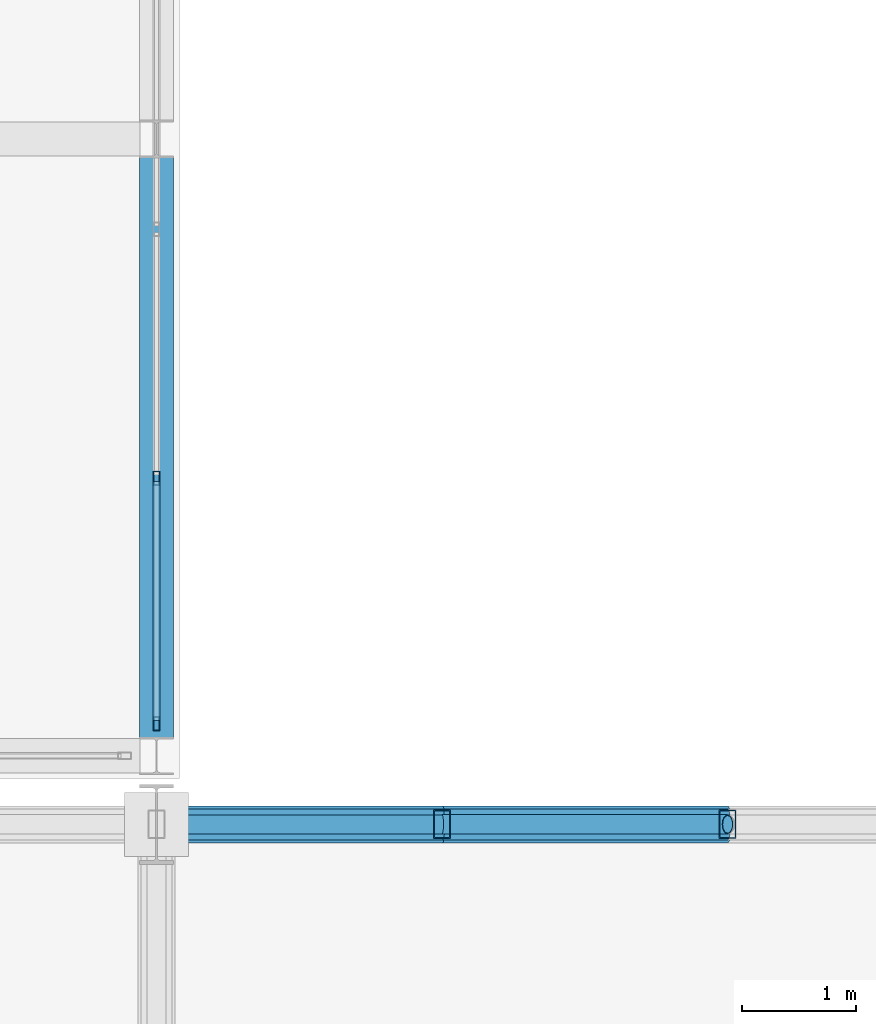
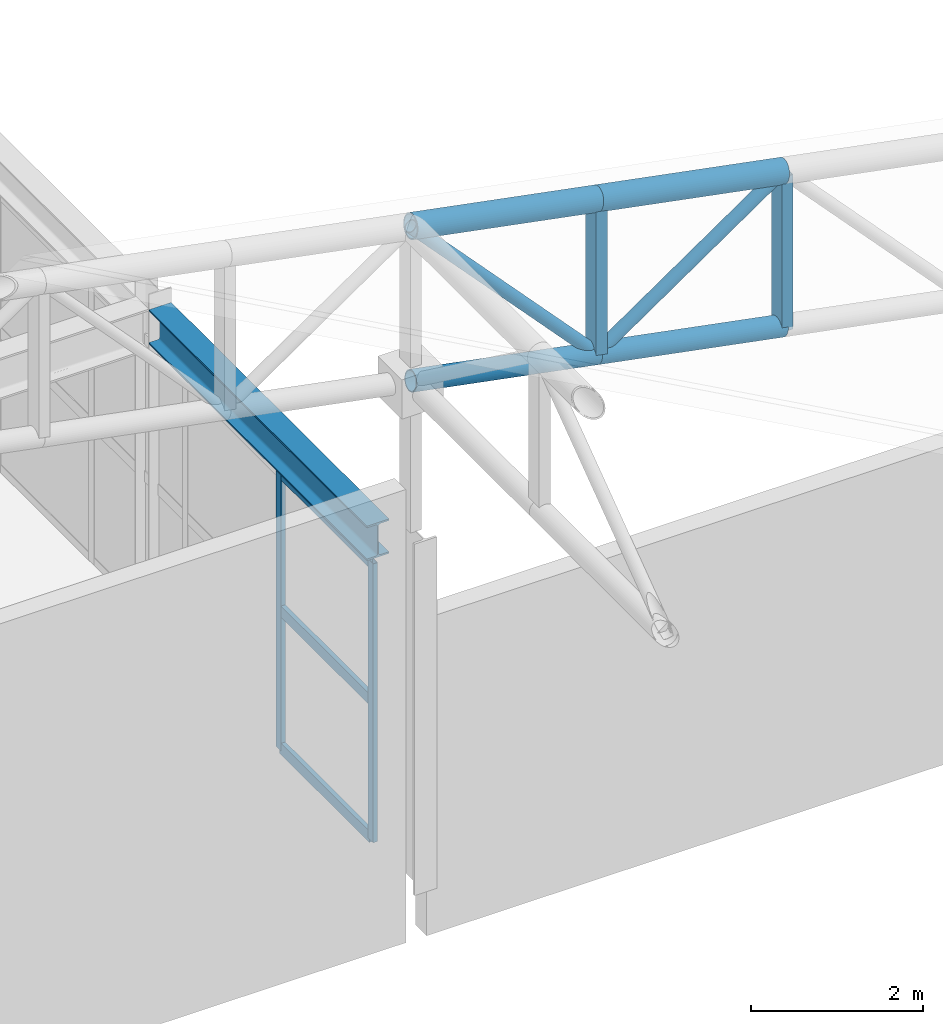
# One storey, part 77 of 112: 13 members, 1 beam, 1 element without a shape of its own.
"""IFC4 building model written with IfcOpenShell, lengths in metres."""

from ifc_helpers import new_model, si_unit, direction, frame, origin, origin_2d, place, context, subcontext, project, spatial, hollow_rectangle, hollow_circle, i_section, extrude, material, material_profile, profile_set, type_object, element, aggregate, save


model = new_model("IFC4")

# Units and contexts
model_context = context("Model", 3, precision=1e-05, world=origin(), true_north=direction((0.0, 1.0)))
body_context = subcontext(model_context, "Body", "Model", "MODEL_VIEW")
ifc_project = project(units=[si_unit("LENGTHUNIT", "METRE"), si_unit("AREAUNIT", "SQUARE_METRE"), si_unit("VOLUMEUNIT", "CUBIC_METRE"), si_unit("PLANEANGLEUNIT", "RADIAN"), si_unit("MASSUNIT", "GRAM", prefix="KILO")], contexts=[model_context])

# Site, building, storey
site_placement = place(None, origin())
site = spatial("IfcSite", under=ifc_project, at=site_placement, CompositionType="ELEMENT")
building_placement = place(site_placement, origin())
building = spatial("IfcBuilding", under=site, at=building_placement, Name="Kaldris Quays Convention Centre", CompositionType="ELEMENT")
storey_placement = place(building_placement, frame((0.0, 0.0, 16.800048828125)))
storey = spatial("IfcBuildingStorey", under=building, at=storey_placement, Name="L03", CompositionType="ELEMENT", Elevation=16.800048828125)

# Curtain wall, members
ifc_material_1 = material(Name="Anodized aluminium AW-6060 and triple glazing", Category="aluminium")
curtain_wall_type = type_object("IfcCurtainWallType", Name="UNITISED CURTAIN WALL CW06", PredefinedType="NOTDEFINED", material=ifc_material_1)
curtain_wall_placement = place(storey_placement, origin())
curtain_wall = element("IfcCurtainWall", 1, at=curtain_wall_placement, inside=storey, type_object=curtain_wall_type, Name="L03 Unitised Curtain Wall CW06 179", PredefinedType="NOTDEFINED")
ifc_material_2 = material(Name="Anodized aluminium AW-6060", Category="aluminium")
ifc_material_profile_1 = material_profile(ifc_material_2, hollow_rectangle(XDim=0.06005859375, YDim=0.1201171875, WallThickness=0.00390625, at=origin_2d()), Name="RHS 120x60x4")
ifc_profile_set_1 = profile_set([ifc_material_profile_1], Name="Anodized aluminium AW-6060")
member_type_1 = type_object("IfcMemberType", Name="CURTAIN MULLION CWM3", PredefinedType="MULLION", material=ifc_profile_set_1)
member_1_placement = place(storey_placement, frame((194.0, 104.8798828125, 0.0), z_axis=(0.0, 0.0, 1.0), x_axis=(-1.0, 0.0, 0.0)))
member_1 = element("IfcMember", 2, at=member_1_placement, type_object=member_type_1, Name="CW06 mullion 1", PredefinedType="MULLION", context=body_context, shape_type="SweptSolid", body=[
    extrude(hollow_rectangle(XDim=0.06005859375, YDim=0.1201171875, WallThickness=0.00390625, at=origin_2d()), origin(), (0.0, 0.0, 1.0), 3.967041015625),
])
member_2_placement = place(storey_placement, frame((194.0, 107.030029296875, 0.0), z_axis=(0.0, 0.0, 1.0), x_axis=(-1.0, 0.0, 0.0)))
member_2 = element("IfcMember", 3, at=member_2_placement, type_object=member_type_1, Name="CW06 mullion 2", PredefinedType="MULLION", context=body_context, shape_type="SweptSolid", body=[
    extrude(hollow_rectangle(XDim=0.06005859375, YDim=0.1201171875, WallThickness=0.00390625, at=origin_2d()), origin(), (0.0, 0.0, 1.0), 3.967041015625),
])
ifc_material_profile_2 = material_profile(ifc_material_2, hollow_rectangle(XDim=0.06005859375, YDim=0.159912109375, WallThickness=0.00390625, at=origin_2d()), Name="RHS 160x60x4")
ifc_profile_set_2 = profile_set([ifc_material_profile_2], Name="Anodized aluminium AW-6060")
member_type_2 = type_object("IfcMemberType", Name="CURTAIN TRANSOM CWT2", PredefinedType="USERDEFINED", material=ifc_profile_set_2)
member_3_placement = place(storey_placement, frame((194.0, 104.909912109375, 0.030029296875), z_axis=(0.0, 1.0, 0.0), x_axis=(-1.0, 0.0, 0.0)))
member_3 = element("IfcMember", 4, at=member_3_placement, type_object=member_type_2, Name="CW06 transom 1.1", ObjectType="TRANSOM", PredefinedType="USERDEFINED", context=body_context, shape_type="SweptSolid", body=[
    extrude(hollow_rectangle(XDim=0.06005859375, YDim=0.159912109375, WallThickness=0.00390625, at=origin_2d()), origin(), (0.0, 0.0, 1.0), 2.090087890625),
])
member_4_placement = place(storey_placement, frame((194.0, 104.909912109375, 1.98388671875), z_axis=(0.0, 1.0, 0.0), x_axis=(-1.0, 0.0, 0.0)))
member_4 = element("IfcMember", 5, at=member_4_placement, type_object=member_type_2, Name="CW06 transom 1.2", ObjectType="TRANSOM", PredefinedType="USERDEFINED", context=body_context, shape_type="SweptSolid", body=[
    extrude(hollow_rectangle(XDim=0.06005859375, YDim=0.159912109375, WallThickness=0.00390625, at=origin_2d()), origin(), (0.0, 0.0, 1.0), 2.090087890625),
])
member_5_placement = place(storey_placement, frame((194.0, 104.909912109375, 3.93701171875), z_axis=(0.0, 1.0, 0.0), x_axis=(-1.0, 0.0, 0.0)))
member_5 = element("IfcMember", 6, at=member_5_placement, type_object=member_type_2, Name="CW06 transom 1.3", ObjectType="TRANSOM", PredefinedType="USERDEFINED", context=body_context, shape_type="SweptSolid", body=[
    extrude(hollow_rectangle(XDim=0.06005859375, YDim=0.159912109375, WallThickness=0.00390625, at=origin_2d()), origin(), (0.0, 0.0, 1.0), 2.090087890625),
])
aggregate(curtain_wall, [member_1, member_2, member_3, member_4, member_5])

# Beam
ifc_material_3 = material(Name="Steel S355J2", Category="steel")
ifc_material_profile_3 = material_profile(ifc_material_3, i_section(OverallWidth=0.300048828125, OverallDepth=0.489990234375, WebThickness=0.011962890625, FlangeThickness=0.02294921875, FilletRadius=0.027099609375, at=origin_2d()), Name="HEA 500")
ifc_profile_set_3 = profile_set([ifc_material_profile_3], Name="Steel S355J2")
beam_type = type_object("IfcBeamType", Name="STRUCTURAL BEAM BM09", PredefinedType="BEAM", material=ifc_profile_set_3)
beam_placement = place(storey_placement, frame((194.0, 104.759033203125, 4.3369140625), z_axis=(0.0, 1.0, 0.0), x_axis=(-1.0, 0.0, 0.0)))
element("IfcBeam", 7, at=beam_placement, inside=storey, type_object=beam_type, Name="L03 Girder BM09 108", PredefinedType="BEAM", context=body_context, shape_type="SweptSolid", body=[
    extrude(i_section(OverallWidth=0.300048828125, OverallDepth=0.489990234375, WebThickness=0.011962890625, FlangeThickness=0.02294921875, FilletRadius=0.027099609375, at=origin_2d()), origin(), (0.0, 0.0, 1.0), 5.08203125),
])

# Members
ifc_material_4 = material(Name="Steel S355J2H", Category="steel")
ifc_material_profile_4 = material_profile(ifc_material_4, hollow_circle(Radius=0.161865234375, WallThickness=0.01611328125, at=origin_2d()), Name="CHS 323.9x16")
ifc_profile_set_4 = profile_set([ifc_material_profile_4], Name="Steel S355J2H")
member_type_3 = type_object("IfcMemberType", Name="STRUCTURAL MEMBER SC03", PredefinedType="CHORD", material=ifc_profile_set_4)
for number, where, z_axis, x_axis, name in (
    (8, (194.0, 104.0, 9.25927734375), (0.981903710383, 0.0, -0.189380842579), (0.0, 1.0, 0.0), "SF-V2 Top Chord X 72"),
    (9, (196.5, 104.0, 8.777099609375), (0.981903710383, 0.0, -0.189380842579), (0.0, 1.0, 0.0), "SF-V2 Top Chord X 73"),
):
    element("IfcMember", number, at=place(storey_placement, frame(where, z_axis=z_axis, x_axis=x_axis)), inside=storey, type_object=member_type_3, Name=name, PredefinedType="CHORD", context=body_context, shape_type="SweptSolid", body=[
        extrude(hollow_circle(Radius=0.161865234375, WallThickness=0.01611328125, at=origin_2d()), origin(), (0.0, 0.0, 1.0), 2.546142578125),
    ])
ifc_material_profile_5 = material_profile(ifc_material_4, hollow_circle(Radius=0.136474609375, WallThickness=0.012451171875, at=origin_2d()), Name="CHS 273x12.5")
ifc_profile_set_5 = profile_set([ifc_material_profile_5], Name="Steel S355J2H")
member_type_4 = type_object("IfcMemberType", Name="STRUCTURAL MEMBER SC04", PredefinedType="CHORD", material=ifc_profile_set_5)
for number, where, z_axis, x_axis, name in (
    (10, (194.0, 104.0, 7.059326171875), (0.981903710383, 0.0, -0.189380842579), (0.0, 1.0, 0.0), "SF-V2 Bottom Chord X 72"),
    (11, (196.5, 104.0, 6.5771484375), (0.981903710383, 0.0, -0.189380842579), (0.0, 1.0, 0.0), "SF-V2 Bottom Chord X 73"),
):
    element("IfcMember", number, at=place(storey_placement, frame(where, z_axis=z_axis, x_axis=x_axis)), inside=storey, type_object=member_type_4, Name=name, PredefinedType="CHORD", context=body_context, shape_type="SweptSolid", body=[
        extrude(hollow_circle(Radius=0.136474609375, WallThickness=0.012451171875, at=origin_2d()), origin(), (0.0, 0.0, 1.0), 2.546142578125),
    ])
ifc_material_profile_6 = material_profile(ifc_material_4, hollow_circle(Radius=0.084228515625, WallThickness=0.008056640625, at=origin_2d()), Name="CHS 168.3x8")
ifc_profile_set_6 = profile_set([ifc_material_profile_6], Name="Steel S355J2H")
member_type_5 = type_object("IfcMemberType", Name="STRUCTURAL MEMBER SWB2", PredefinedType="BRACE", material=ifc_profile_set_6)
member_6_placement = place(storey_placement, frame((196.5, 104.0, 6.5771484375), z_axis=(-0.68183413121, 0.0, 0.731506813035), x_axis=(0.0, -1.0, 0.0)))
element("IfcMember", 12, at=member_6_placement, inside=storey, type_object=member_type_5, Name="SF-V2 Web Diagonal X 72", PredefinedType="BRACE", context=body_context, shape_type="SweptSolid", body=[
    extrude(hollow_circle(Radius=0.084228515625, WallThickness=0.008056640625, at=origin_2d()), origin(), (0.0, 0.0, 1.0), 3.66650390625),
])
member_7_placement = place(storey_placement, frame((196.5, 104.0, 6.5771484375), z_axis=(0.8241921955, 0.0, 0.56631018433), x_axis=(0.0, 1.0, 0.0)))
element("IfcMember", 13, at=member_7_placement, inside=storey, type_object=member_type_5, Name="SF-V2 Web Diagonal X 73", PredefinedType="BRACE", context=body_context, shape_type="SweptSolid", body=[
    extrude(hollow_circle(Radius=0.084228515625, WallThickness=0.008056640625, at=origin_2d()), origin(), (0.0, 0.0, 1.0), 3.033203125),
])
ifc_material_profile_7 = material_profile(ifc_material_4, hollow_rectangle(XDim=0.14990234375, YDim=0.25, WallThickness=0.010009765625, at=origin_2d()), Name="RHS 250x150x10")
ifc_profile_set_7 = profile_set([ifc_material_profile_7], Name="Steel S355J2H")
member_type_6 = type_object("IfcMemberType", Name="STRUCTURAL MEMBER TTV1", PredefinedType="POST", material=ifc_profile_set_7)
for number, where, z_axis, x_axis, name in (
    (14, (196.5, 104.0, 6.5771484375), (0.0, 0.0, 1.0), (1.0, 0.0, 0.0), "SF-V2 Space-Frame Post 113"),
    (15, (199.0, 104.0, 6.094970703125), (0.0, 0.0, 1.0), (1.0, 0.0, 0.0), "SF-V2 Space-Frame Post 118"),
):
    element("IfcMember", number, at=place(storey_placement, frame(where, z_axis=z_axis, x_axis=x_axis)), inside=storey, type_object=member_type_6, Name=name, PredefinedType="POST", context=body_context, shape_type="SweptSolid", body=[
        extrude(hollow_rectangle(XDim=0.14990234375, YDim=0.25, WallThickness=0.010009765625, at=origin_2d()), origin(), (0.0, 0.0, 1.0), 2.199951171875),
    ])

save(model, "model.ifc")
